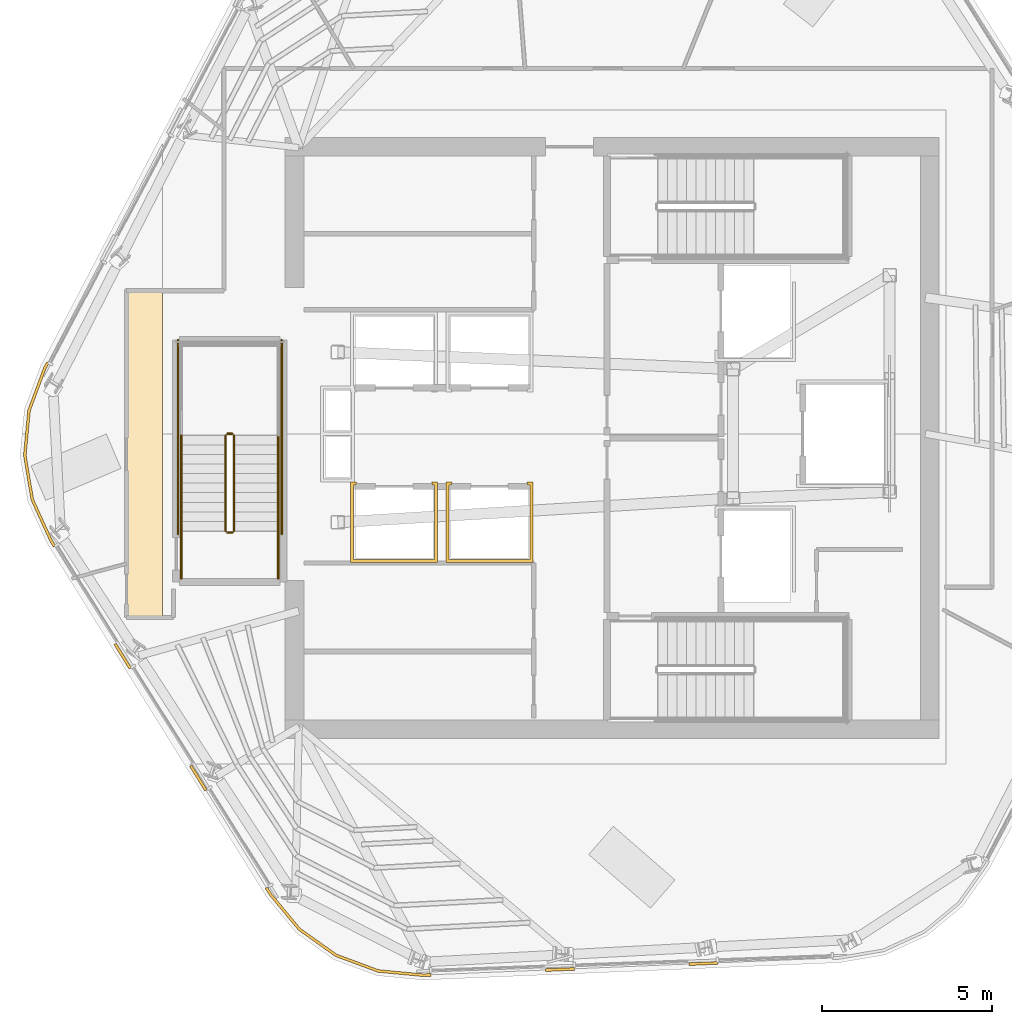
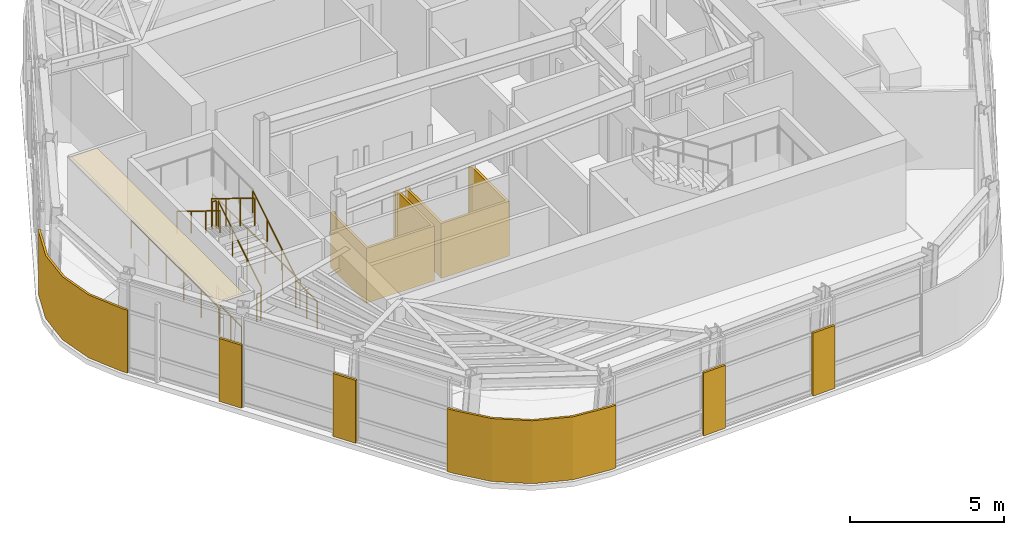
# One storey, part 9 of 13: 10 railings, 9 coverings.
"""IFC4 building model written with IfcOpenShell, lengths in metres."""

from ifc_helpers import new_model, si_unit, direction, frame, origin, origin_2d, place, context, subcontext, project, spatial, polyline, circle, outline, extrude, material, layer, layer_set, type_object, element, save


model = new_model("IFC4")

# Units and contexts
model_context = context("Model", 3, precision=1e-05, world=origin(), true_north=direction((0.0, 1.0)))
body_context = subcontext(model_context, "Body", "Model", "MODEL_VIEW")
ifc_project = project(units=[si_unit("LENGTHUNIT", "METRE"), si_unit("AREAUNIT", "SQUARE_METRE"), si_unit("VOLUMEUNIT", "CUBIC_METRE"), si_unit("PLANEANGLEUNIT", "RADIAN"), si_unit("MASSUNIT", "GRAM", prefix="KILO")], contexts=[model_context])

# Site, building, storey
site_placement = place(None, origin())
site = spatial("IfcSite", under=ifc_project, at=site_placement, CompositionType="ELEMENT")
building_placement = place(site_placement, origin())
building = spatial("IfcBuilding", under=site, at=building_placement, Name="Valkerne Bourse Tower", CompositionType="ELEMENT")
storey_placement = place(building_placement, frame((0.0, 0.0, 292.60009765625)))
storey = spatial("IfcBuildingStorey", under=building, at=storey_placement, Name="L74", CompositionType="ELEMENT", Elevation=292.60009765625)

# Coverings
ifc_material_1 = material(Name="Bronze Anodised Aluminium AA 6063-T6", Category="aluminium")
ifc_layer_1 = layer(ifc_material_1, 0.030029296875)
ifc_layer_set_1 = layer_set([ifc_layer_1], Name="Bronze Anodised Aluminium AA 6063-T6")
covering_type_1 = type_object("IfcCoveringType", Name="COV-CEIL-METAL", PredefinedType="CEILING", material=ifc_layer_set_1)
covering_1_placement = place(storey_placement, frame((0.0, 0.0, 3.25)))
element("IfcCovering", 1, at=covering_1_placement, inside=storey, type_object=covering_type_1, Name="L74 Suspended Ceiling 02", PredefinedType="CEILING", context=body_context, shape_type="SweptSolid", body=[
    extrude(outline(polyline([(32.553955078125, 21.60400390625), (32.553955078125, 31.196044921875), (33.60009765625, 31.196044921875), (33.60009765625, 21.60400390625), (32.553955078125, 21.60400390625)])), origin(), (0.0, 0.0, 1.0), 0.02490234375),
])
ifc_layer_2 = layer(ifc_material_1, 0.06005859375)
ifc_layer_set_2 = layer_set([ifc_layer_2], Name="Bronze Anodised Aluminium AA 6063-T6")
covering_type_2 = type_object("IfcCoveringType", Name="COV-CRN-ALUM", PredefinedType="CLADDING", material=ifc_layer_set_2)
covering_2_placement = place(storey_placement, origin())
element("IfcCovering", 2, at=covering_2_placement, inside=storey, type_object=covering_type_2, Name="L74 Wind-Shaped Corner Aluminium Cladding 05", PredefinedType="CLADDING", context=body_context, shape_type="SweptSolid", body=[
    extrude(outline(polyline([(49.0595703125, 11.388916015625), (49.056640625, 11.46875), (49.89599609375, 11.503662109375), (49.89892578125, 11.423583984375), (49.0595703125, 11.388916015625)])), origin(), (0.0, 0.0, 1.0), 2.5),
])
covering_3_placement = place(storey_placement, origin())
element("IfcCovering", 3, at=covering_3_placement, inside=storey, type_object=covering_type_2, Name="L74 Wind-Shaped Corner Aluminium Cladding 06", PredefinedType="CLADDING", context=body_context, shape_type="SweptSolid", body=[
    extrude(outline(polyline([(44.851318359375, 11.213623046875), (44.84814453125, 11.29345703125), (45.6875, 11.32861328125), (45.6904296875, 11.24853515625), (44.851318359375, 11.213623046875)])), origin(), (0.0, 0.0, 1.0), 2.5),
])
covering_4_placement = place(storey_placement, origin())
element("IfcCovering", 4, at=covering_4_placement, inside=storey, type_object=covering_type_2, Name="L74 Wind-Shaped Corner Aluminium Cladding 07", PredefinedType="CLADDING", context=body_context, shape_type="SweptSolid", body=[
    extrude(outline(polyline([(41.253662109375, 11.063720703125), (39.922119140625, 11.189697265625), (38.674560546875, 11.653564453125), (37.589599609375, 12.4248046875), (36.73681640625, 13.455322265625), (36.616455078125, 13.6494140625), (36.68408203125, 13.69189453125), (36.802001953125, 13.502197265625), (37.644287109375, 12.48388671875), (38.71240234375, 11.72509765625), (39.940185546875, 11.268310546875), (41.255859375, 11.14404296875), (41.479248046875, 11.1533203125), (41.482177734375, 11.0732421875), (41.253662109375, 11.063720703125)])), origin(), (0.0, 0.0, 1.0), 2.5),
])
covering_5_placement = place(storey_placement, origin())
element("IfcCovering", 5, at=covering_5_placement, inside=storey, type_object=covering_type_2, Name="L74 Wind-Shaped Corner Aluminium Cladding 08", PredefinedType="CLADDING", context=body_context, shape_type="SweptSolid", body=[
    extrude(outline(polyline([(34.39599609375, 17.228759765625), (34.463623046875, 17.271240234375), (34.906494140625, 16.557373046875), (34.838623046875, 16.514892578125), (34.39599609375, 17.228759765625)])), origin(), (0.0, 0.0, 1.0), 2.5),
])
covering_6_placement = place(storey_placement, origin())
element("IfcCovering", 6, at=covering_6_placement, inside=storey, type_object=covering_type_2, Name="L74 Wind-Shaped Corner Aluminium Cladding 09", PredefinedType="CLADDING", context=body_context, shape_type="SweptSolid", body=[
    extrude(outline(polyline([(32.17529296875, 20.807861328125), (32.2431640625, 20.850341796875), (32.68603515625, 20.136474609375), (32.6181640625, 20.093994140625), (32.17529296875, 20.807861328125)])), origin(), (0.0, 0.0, 1.0), 2.5),
])
covering_7_placement = place(storey_placement, origin())
element("IfcCovering", 7, at=covering_7_placement, inside=storey, type_object=covering_type_2, Name="L74 Wind-Shaped Corner Aluminium Cladding 10", PredefinedType="CLADDING", context=body_context, shape_type="SweptSolid", body=[
    extrude(outline(polyline([(30.2958984375, 23.837158203125), (29.739013671875, 25.0537109375), (29.516845703125, 26.3662109375), (29.64208984375, 27.69140625), (30.108642578125, 28.945556640625), (30.197998046875, 29.116455078125), (30.268798828125, 29.0791015625), (30.181884765625, 28.912841796875), (29.720947265625, 27.673583984375), (29.597412109375, 26.369140625), (29.81591796875, 25.077392578125), (30.366455078125, 23.875), (30.46533203125, 23.7158203125), (30.397705078125, 23.673095703125), (30.2958984375, 23.837158203125)])), origin(), (0.0, 0.0, 1.0), 2.5),
])
ifc_material_2 = material(Name="Gypsum Shaftwall Liner Board", Category="gypsum")
ifc_layer_3 = layer(ifc_material_2, 0.080078125)
ifc_layer_set_3 = layer_set([ifc_layer_3], Name="Gypsum Shaftwall Liner Board")
covering_type_3 = type_object("IfcCoveringType", Name="COV-SHF-CLAD", PredefinedType="CLADDING", material=ifc_layer_set_3)
covering_8_placement = place(storey_placement, origin())
element("IfcCovering", 8, at=covering_8_placement, inside=storey, type_object=covering_type_3, Name="L74 Hoistway & Riser Shaftwall Liner 02", PredefinedType="CLADDING", context=body_context, shape_type="SweptSolid", body=[
    extrude(outline(polyline([(39.29931640625, 25.580078125), (39.28857421875, 25.537841796875), (39.2822265625, 25.494140625), (39.281982421875, 25.489990234375), (39.2099609375, 25.489990234375), (39.2099609375, 23.31005859375), (41.590087890625, 23.31005859375), (41.590087890625, 25.489990234375), (41.51806640625, 25.489990234375), (41.517822265625, 25.494140625), (41.511474609375, 25.537841796875), (41.500732421875, 25.580078125), (41.679931640625, 25.580078125), (41.679931640625, 23.219970703125), (39.1201171875, 23.219970703125), (39.1201171875, 25.580078125), (39.29931640625, 25.580078125)])), origin(), (0.0, 0.0, 1.0), 2.179931640625),
])
covering_9_placement = place(storey_placement, origin())
element("IfcCovering", 9, at=covering_9_placement, inside=storey, type_object=covering_type_3, Name="L74 Hoistway & Riser Shaftwall Liner 03", PredefinedType="CLADDING", context=body_context, shape_type="SweptSolid", body=[
    extrude(outline(polyline([(42.09912109375, 25.580078125), (42.088623046875, 25.537841796875), (42.082275390625, 25.494140625), (42.08203125, 25.489990234375), (42.010009765625, 25.489990234375), (42.010009765625, 23.31005859375), (44.389892578125, 23.31005859375), (44.389892578125, 25.489990234375), (44.318115234375, 25.489990234375), (44.31787109375, 25.494140625), (44.311279296875, 25.537841796875), (44.30078125, 25.580078125), (44.47998046875, 25.580078125), (44.47998046875, 23.219970703125), (41.919921875, 23.219970703125), (41.919921875, 25.580078125), (42.09912109375, 25.580078125)])), origin(), (0.0, 0.0, 1.0), 2.179931640625),
])

# Railings
ifc_material_3 = material(Name="Galvanised Painted Steel", Category="steel")
railing_type_1 = type_object("IfcRailingType", Name="RLG-ST-GUARD-1120", PredefinedType="GUARDRAIL", material=ifc_material_3)
railing_1_placement = place(storey_placement, frame((35.699951171875, 24.14990234375, 0.172607421875)))
element("IfcRailing", 10, at=railing_1_placement, inside=storey, type_object=railing_type_1, Name="L74 ST-3 stair guard 1", PredefinedType="GUARDRAIL", context=body_context, shape_type="SweptSolid", body=[
    extrude(circle(Radius=0.02392578125, at=origin_2d()), frame((0.0, 0.0, 1.09619140625), z_axis=(0.0, 0.851089632645, 0.525020415988), x_axis=(-1.0, 0.0, 0.0)), (0.0, 0.0, 1.0), 3.2900390625),
    extrude(circle(Radius=0.02099609375, at=origin_2d()), origin(), (0.0, 0.0, 1.0), 1.072021484375),
    extrude(circle(Radius=0.02099609375, at=origin_2d()), frame((0.0, 0.933349609375, 0.57568359375)), (0.0, 0.0, 1.0), 1.072021484375),
    extrude(circle(Radius=0.02099609375, at=origin_2d()), frame((0.0, 1.86669921875, 1.151611328125)), (0.0, 0.0, 1.0), 1.072021484375),
    extrude(circle(Radius=0.02099609375, at=origin_2d()), frame((0.0, 2.800048828125, 1.727294921875)), (0.0, 0.0, 1.0), 1.072021484375),
])
railing_2_placement = place(storey_placement, frame((35.64990234375, 27.0, 1.89990234375)))
element("IfcRailing", 11, at=railing_2_placement, inside=storey, type_object=railing_type_1, Name="L74 ST-3 stair guard 2", PredefinedType="GUARDRAIL", context=body_context, shape_type="SweptSolid", body=[
    extrude(circle(Radius=0.02392578125, at=origin_2d()), frame((0.0, 0.0, 1.09619140625), z_axis=(-1.0, 0.0, 0.0), x_axis=(0.0, -1.0, 0.0)), (0.0, 0.0, 1.0), 0.14990234375),
    extrude(circle(Radius=0.02099609375, at=origin_2d()), origin(), (0.0, 0.0, 1.0), 1.072021484375),
    extrude(circle(Radius=0.02099609375, at=origin_2d()), frame((-0.14990234375, 0.0, 0.0)), (0.0, 0.0, 1.0), 1.072021484375),
])
railing_3_placement = place(storey_placement, frame((35.449951171875, 26.949951171875, 2.072509765625)))
element("IfcRailing", 12, at=railing_3_placement, inside=storey, type_object=railing_type_1, Name="L74 ST-3 stair guard 6", PredefinedType="GUARDRAIL", context=body_context, shape_type="SweptSolid", body=[
    extrude(circle(Radius=0.02392578125, at=origin_2d()), frame((0.0, 0.0, 1.09619140625), z_axis=(0.0, -0.851089632645, 0.525020415988), x_axis=(1.0, 0.0, 0.0)), (0.0, 0.0, 1.0), 3.2900390625),
    extrude(circle(Radius=0.02099609375, at=origin_2d()), origin(), (0.0, 0.0, 1.0), 1.072021484375),
    extrude(circle(Radius=0.02099609375, at=origin_2d()), frame((0.0, -0.933349609375, 0.57568359375)), (0.0, 0.0, 1.0), 1.072021484375),
    extrude(circle(Radius=0.02099609375, at=origin_2d()), frame((0.0, -1.86669921875, 1.151611328125)), (0.0, 0.0, 1.0), 1.072021484375),
    extrude(circle(Radius=0.02099609375, at=origin_2d()), frame((0.0, -2.800048828125, 1.727294921875)), (0.0, 0.0, 1.0), 1.072021484375),
])
railing_4_placement = place(storey_placement, frame((35.64990234375, 24.10009765625, 0.0)))
element("IfcRailing", 13, at=railing_4_placement, inside=storey, type_object=railing_type_1, Name="L74 ST-3 stair guard 7", PredefinedType="GUARDRAIL", context=body_context, shape_type="SweptSolid", body=[
    extrude(circle(Radius=0.02392578125, at=origin_2d()), frame((0.0, 0.0, 1.09619140625), z_axis=(-1.0, 0.0, 0.0), x_axis=(0.0, -1.0, 0.0)), (0.0, 0.0, 1.0), 0.14990234375),
    extrude(circle(Radius=0.02099609375, at=origin_2d()), origin(), (0.0, 0.0, 1.0), 1.072021484375),
    extrude(circle(Radius=0.02099609375, at=origin_2d()), frame((-0.14990234375, 0.0, 0.0)), (0.0, 0.0, 1.0), 1.072021484375),
])
for number, where, name in (
    (14, (37.0, 22.75, 0.0), "L74 ST-3 stair guard 8"),
    (15, (34.14990234375, 22.75, 0.0), "L74 ST-3 stair guard 9"),
):
    element("IfcRailing", number, at=place(storey_placement, frame(where)), inside=storey, type_object=railing_type_1, Name=name, PredefinedType="GUARDRAIL", context=body_context, shape_type="SweptSolid", body=[
        extrude(circle(Radius=0.02392578125, at=origin_2d()), frame((0.0, 0.0, 1.09619140625), z_axis=(0.0, 1.0, 0.0), x_axis=(-1.0, 0.0, 0.0)), (0.0, 0.0, 1.0), 1.39990234375),
        extrude(circle(Radius=0.02099609375, at=origin_2d()), origin(), (0.0, 0.0, 1.0), 1.072021484375),
        extrude(circle(Radius=0.02099609375, at=origin_2d()), frame((0.0, 0.699951171875, 0.0)), (0.0, 0.0, 1.0), 1.072021484375),
        extrude(circle(Radius=0.02099609375, at=origin_2d()), frame((0.0, 1.39990234375, 0.0)), (0.0, 0.0, 1.0), 1.072021484375),
    ])
for number, where, name in (
    (16, (37.10009765625, 24.050048828125, 0.0), "L74 ST-3 stair guard 10"),
    (17, (34.050048828125, 24.050048828125, 0.0), "L74 ST-3 stair guard 11"),
):
    element("IfcRailing", number, at=place(storey_placement, frame(where)), inside=storey, type_object=railing_type_1, Name=name, PredefinedType="GUARDRAIL", context=body_context, shape_type="SweptSolid", body=[
        extrude(circle(Radius=0.02392578125, at=origin_2d()), frame((0.0, 0.0, 1.09619140625), z_axis=(0.0, 1.0, 0.0), x_axis=(-1.0, 0.0, 0.0)), (0.0, 0.0, 1.0), 5.699951171875),
        extrude(circle(Radius=0.02099609375, at=origin_2d()), origin(), (0.0, 0.0, 1.0), 1.072021484375),
        extrude(circle(Radius=0.02099609375, at=origin_2d()), frame((0.0, 1.139892578125, 0.0)), (0.0, 0.0, 1.0), 1.072021484375),
        extrude(circle(Radius=0.02099609375, at=origin_2d()), frame((0.0, 2.280029296875, 0.0)), (0.0, 0.0, 1.0), 1.072021484375),
        extrude(circle(Radius=0.02099609375, at=origin_2d()), frame((0.0, 3.419921875, 0.0)), (0.0, 0.0, 1.0), 1.072021484375),
        extrude(circle(Radius=0.02099609375, at=origin_2d()), frame((0.0, 4.56005859375, 0.0)), (0.0, 0.0, 1.0), 1.072021484375),
        extrude(circle(Radius=0.02099609375, at=origin_2d()), frame((0.0, 5.699951171875, 0.0)), (0.0, 0.0, 1.0), 1.072021484375),
    ])
ifc_material_4 = material(Name="Stainless Steel AISI 316", Category="steel")
railing_type_2 = type_object("IfcRailingType", Name="RLG-ST-HANDRAIL-900", PredefinedType="HANDRAIL", material=ifc_material_4)
railing_5_placement = place(storey_placement, frame((37.0, 24.14990234375, 0.345458984375)))
element("IfcRailing", 18, at=railing_5_placement, inside=storey, type_object=railing_type_2, Name="L74 ST-3 stair handrail 1", PredefinedType="HANDRAIL", context=body_context, shape_type="SweptSolid", body=[
    extrude(circle(Radius=0.02392578125, at=origin_2d()), frame((0.0, 0.0, 0.8759765625), z_axis=(0.0, 0.851122791225, 0.524966660138), x_axis=(-1.0, 0.0, 0.0)), (0.0, 0.0, 1.0), 3.289794921875),
    extrude(circle(Radius=0.02099609375, at=origin_2d()), origin(), (0.0, 0.0, 1.0), 0.851806640625),
    extrude(circle(Radius=0.02099609375, at=origin_2d()), frame((0.0, 0.933349609375, 0.57568359375)), (0.0, 0.0, 1.0), 0.851806640625),
    extrude(circle(Radius=0.02099609375, at=origin_2d()), frame((0.0, 1.86669921875, 1.1513671875)), (0.0, 0.0, 1.0), 0.851806640625),
    extrude(circle(Radius=0.02099609375, at=origin_2d()), frame((0.0, 2.800048828125, 1.72705078125)), (0.0, 0.0, 1.0), 0.851806640625),
])
railing_6_placement = place(storey_placement, frame((34.14990234375, 26.949951171875, 2.245361328125)))
element("IfcRailing", 19, at=railing_6_placement, inside=storey, type_object=railing_type_2, Name="L74 ST-3 stair handrail 2", PredefinedType="HANDRAIL", context=body_context, shape_type="SweptSolid", body=[
    extrude(circle(Radius=0.02392578125, at=origin_2d()), frame((0.0, 0.0, 0.8759765625), z_axis=(0.0, -0.851089632645, 0.525020415988), x_axis=(1.0, 0.0, 0.0)), (0.0, 0.0, 1.0), 3.2900390625),
    extrude(circle(Radius=0.02099609375, at=origin_2d()), origin(), (0.0, 0.0, 1.0), 0.851806640625),
    extrude(circle(Radius=0.02099609375, at=origin_2d()), frame((0.0, -0.933349609375, 0.57568359375)), (0.0, 0.0, 1.0), 0.851806640625),
    extrude(circle(Radius=0.02099609375, at=origin_2d()), frame((0.0, -1.86669921875, 1.151611328125)), (0.0, 0.0, 1.0), 0.851806640625),
    extrude(circle(Radius=0.02099609375, at=origin_2d()), frame((0.0, -2.800048828125, 1.727294921875)), (0.0, 0.0, 1.0), 0.851806640625),
])

save(model, "model.ifc")
